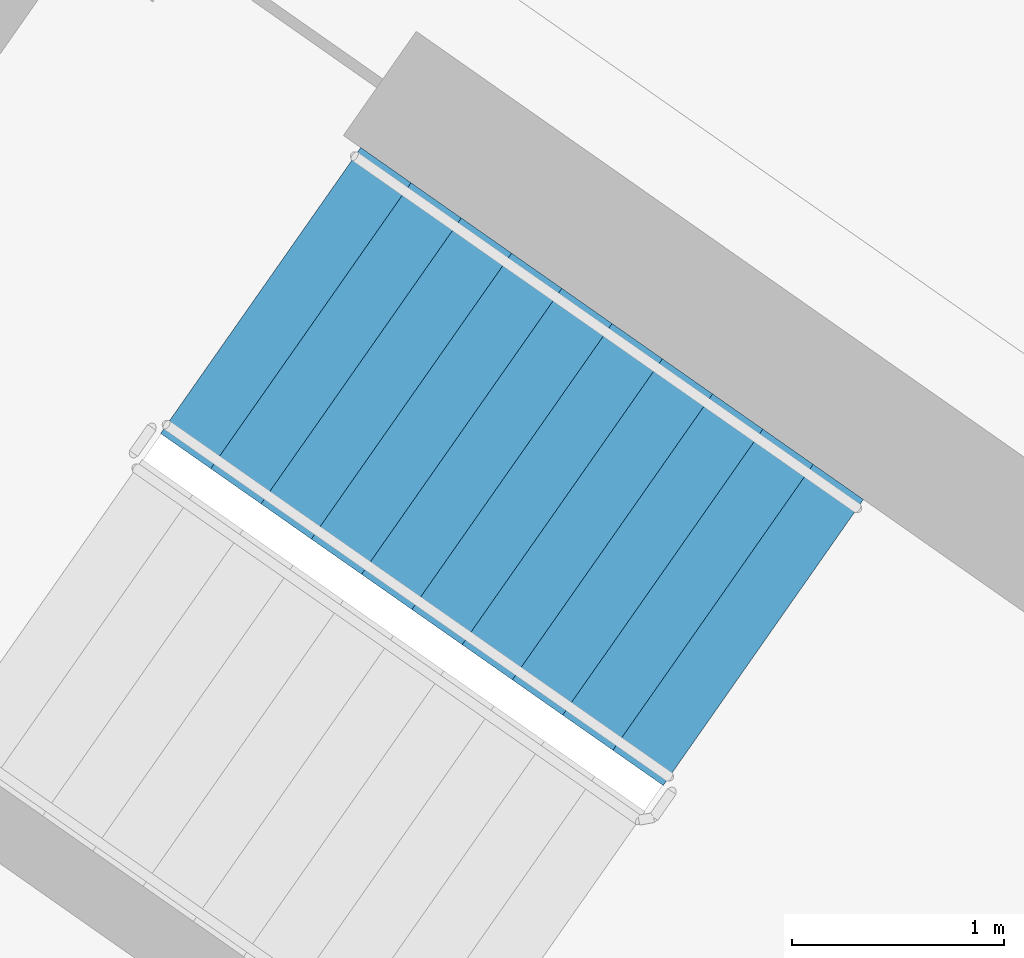
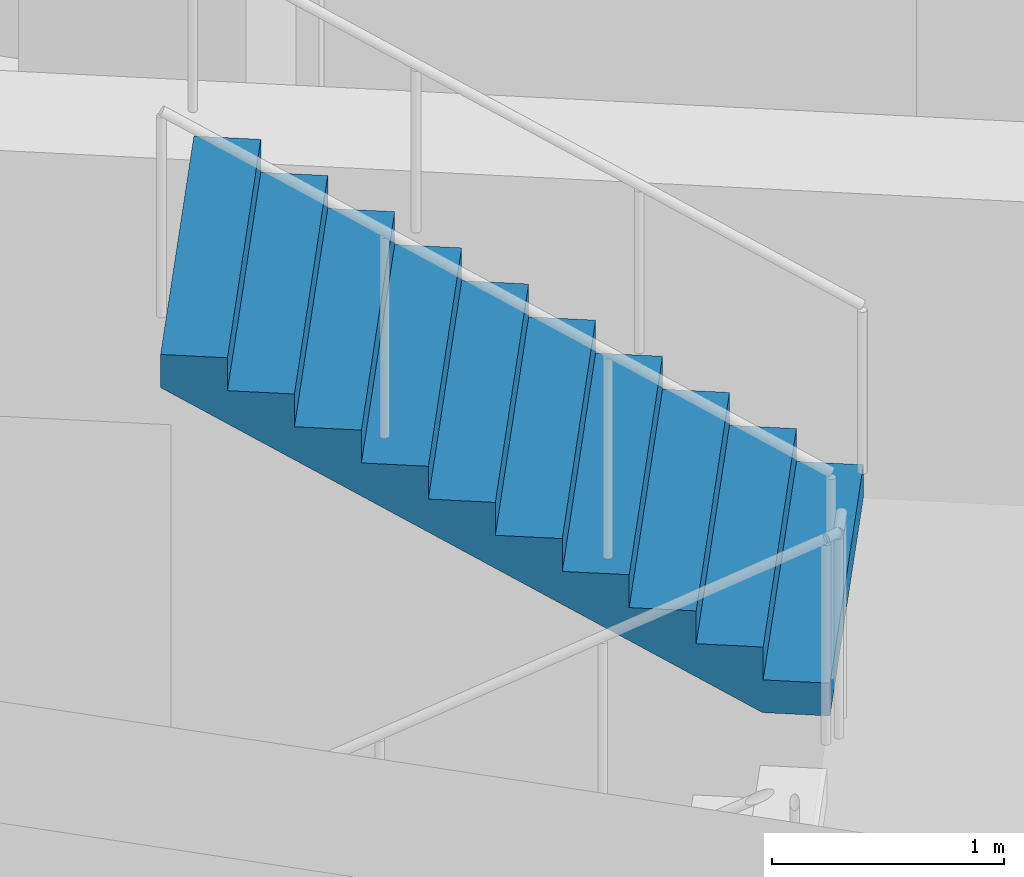
# One storey, part 12 of 28: 1 stair flight, 1 element without a shape of its own.
"""IFC4 building model written with IfcOpenShell, lengths in metres."""

from ifc_helpers import new_model, si_unit, direction, frame, origin, place, context, subcontext, project, spatial, faceted_brep, material, type_object, element, aggregate, save


model = new_model("IFC4")

# Units and contexts
model_context = context("Model", 3, precision=1e-05, world=origin(), true_north=direction((0.0, 1.0)))
body_context = subcontext(model_context, "Body", "Model", "MODEL_VIEW")
ifc_project = project(units=[si_unit("LENGTHUNIT", "METRE"), si_unit("AREAUNIT", "SQUARE_METRE"), si_unit("VOLUMEUNIT", "CUBIC_METRE"), si_unit("PLANEANGLEUNIT", "RADIAN"), si_unit("MASSUNIT", "GRAM", prefix="KILO")], contexts=[model_context])

# Site, building, storey
site_placement = place(None, origin())
site = spatial("IfcSite", under=ifc_project, at=site_placement, CompositionType="ELEMENT")
building_placement = place(site_placement, origin())
building = spatial("IfcBuilding", under=site, at=building_placement, Name="Qamariyya Broadcast Tower", CompositionType="ELEMENT")
storey_placement = place(building_placement, frame((0.0, 0.0, 241.699951171875)))
storey = spatial("IfcBuildingStorey", under=building, at=storey_placement, Name="L58", CompositionType="ELEMENT", Elevation=241.699951171875)

# Stair, stair flight
ifc_material = material(Name="Concrete C50/60", Category="concrete")
stair_type = type_object("IfcStairType", Name="Exit stair 22 risers of 173 mm", PredefinedType="HALF_TURN_STAIR", material=ifc_material)
stair_placement = place(storey_placement, origin())
stair = element("IfcStair", 1, at=stair_placement, inside=storey, type_object=stair_type, Name="L58 Stair W2", PredefinedType="HALF_TURN_STAIR")
stair_flight_type = type_object("IfcStairFlightType", Name="Exit stair flight 11 risers of 173 mm", PredefinedType="STRAIGHT", material=ifc_material)
stair_flight_placement = place(storey_placement, frame((-38.18310546875, -49.3486328125, 1.900146484375), z_axis=(0.0, 0.0, 1.0), x_axis=(-0.819152044289, 0.573576436351, 0.0)))
stair_flight = element("IfcStairFlight", 2, at=stair_flight_placement, type_object=stair_flight_type, Name="ST-W2 flight 2", NumberOfRisers=11, NumberOfTreads=10, PredefinedType="STRAIGHT", RiserHeight=0.172727273, TreadLength=0.29, context=body_context, shape_type="Brep", body=[
    faceted_brep([(0.0, 0.824951171875, 0.0), (0.0, 0.824951171875, 0.172607421875), (0.2900390625, 0.824951171875, 0.172607421875), (0.2900390625, 0.824951171875, 0.345458984375), (0.580078125, 0.824951171875, 0.345458984375), (0.580078125, 0.824951171875, 0.51806640625), (0.8701171875, 0.824951171875, 0.51806640625), (0.8701171875, 0.824951171875, 0.69091796875), (1.159912109375, 0.824951171875, 0.69091796875), (1.159912109375, 0.824951171875, 0.863525390625), (1.449951171875, 0.824951171875, 0.863525390625), (1.449951171875, 0.824951171875, 1.036376953125), (1.739990234375, 0.824951171875, 1.036376953125), (1.739990234375, 0.824951171875, 1.208984375), (2.030029296875, 0.824951171875, 1.208984375), (2.030029296875, 0.824951171875, 1.3818359375), (2.320068359375, 0.824951171875, 1.3818359375), (2.320068359375, 0.824951171875, 1.554443359375), (2.610107421875, 0.824951171875, 1.554443359375), (2.610107421875, 0.824951171875, 1.727294921875), (2.89990234375, 0.824951171875, 1.727294921875), (2.89990234375, 0.824951171875, 1.552734375), (0.29296875, 0.824951171875, 0.0), (0.29296875, -0.824951171875, 0.0), (2.89990234375, -0.824951171875, 1.552734375), (2.89990234375, -0.824951171875, 1.727294921875), (2.610107421875, -0.824951171875, 1.727294921875), (2.610107421875, -0.824951171875, 1.554443359375), (2.320068359375, -0.824951171875, 1.554443359375), (2.320068359375, -0.824951171875, 1.3818359375), (2.030029296875, -0.824951171875, 1.3818359375), (2.030029296875, -0.824951171875, 1.208984375), (1.739990234375, -0.824951171875, 1.208984375), (1.739990234375, -0.824951171875, 1.036376953125), (1.449951171875, -0.824951171875, 1.036376953125), (1.449951171875, -0.824951171875, 0.863525390625), (1.159912109375, -0.824951171875, 0.863525390625), (1.159912109375, -0.824951171875, 0.69091796875), (0.8701171875, -0.824951171875, 0.69091796875), (0.8701171875, -0.824951171875, 0.51806640625), (0.580078125, -0.824951171875, 0.51806640625), (0.580078125, -0.824951171875, 0.345458984375), (0.2900390625, -0.824951171875, 0.345458984375), (0.2900390625, -0.824951171875, 0.172607421875), (0.0, -0.824951171875, 0.172607421875), (0.0, -0.824951171875, 0.0), (0.0, 0.10009765625, 0.0), (0.0, 0.086669921875, 0.0), (0.0, 0.0732421875, 0.0), (0.0, 0.06005859375, 0.0), (0.0, 0.046630859375, 0.0), (0.0, 0.033447265625, 0.0), (0.0, 0.02001953125, 0.0), (0.0, 0.006591796875, 0.0), (0.0, -0.006591796875, 0.0), (0.0, -0.02001953125, 0.0), (0.0, -0.033447265625, 0.0), (0.0, -0.046630859375, 0.0), (0.0, -0.06005859375, 0.0), (0.0, -0.0732421875, 0.0), (0.0, -0.086669921875, 0.0), (0.0, -0.10009765625, 0.0), (0.0, -0.10009765625, 0.172607421875), (0.0, -0.086669921875, 0.172607421875), (0.0, -0.0732421875, 0.172607421875), (0.0, -0.06005859375, 0.172607421875), (0.0, -0.046630859375, 0.172607421875), (0.0, -0.033447265625, 0.172607421875), (0.0, -0.02001953125, 0.172607421875), (0.0, -0.006591796875, 0.172607421875), (0.0, 0.006591796875, 0.172607421875), (0.0, 0.02001953125, 0.172607421875), (0.0, 0.033447265625, 0.172607421875), (0.0, 0.046630859375, 0.172607421875), (0.0, 0.06005859375, 0.172607421875), (0.0, 0.0732421875, 0.172607421875), (0.0, 0.086669921875, 0.172607421875), (0.0, 0.10009765625, 0.172607421875), (0.2900390625, -0.10009765625, 0.172607421875), (0.2900390625, -0.086669921875, 0.172607421875), (0.2900390625, -0.0732421875, 0.172607421875), (0.2900390625, -0.06005859375, 0.172607421875), (0.2900390625, -0.046630859375, 0.172607421875), (0.2900390625, -0.033447265625, 0.172607421875), (0.2900390625, -0.02001953125, 0.172607421875), (0.2900390625, -0.006591796875, 0.172607421875), (0.2900390625, 0.006591796875, 0.172607421875), (0.2900390625, 0.02001953125, 0.172607421875), (0.2900390625, 0.033447265625, 0.172607421875), (0.2900390625, 0.046630859375, 0.172607421875), (0.2900390625, 0.06005859375, 0.172607421875), (0.2900390625, 0.0732421875, 0.172607421875), (0.2900390625, 0.086669921875, 0.172607421875), (0.2900390625, 0.10009765625, 0.172607421875), (0.2900390625, -0.10009765625, 0.345458984375), (0.2900390625, -0.086669921875, 0.345458984375), (0.2900390625, -0.0732421875, 0.345458984375), (0.2900390625, -0.06005859375, 0.345458984375), (0.2900390625, -0.046630859375, 0.345458984375), (0.2900390625, -0.033447265625, 0.345458984375), (0.2900390625, -0.02001953125, 0.345458984375), (0.2900390625, -0.006591796875, 0.345458984375), (0.2900390625, 0.006591796875, 0.345458984375), (0.2900390625, 0.02001953125, 0.345458984375), (0.2900390625, 0.033447265625, 0.345458984375), (0.2900390625, 0.046630859375, 0.345458984375), (0.2900390625, 0.06005859375, 0.345458984375), (0.2900390625, 0.0732421875, 0.345458984375), (0.2900390625, 0.086669921875, 0.345458984375), (0.2900390625, 0.10009765625, 0.345458984375), (0.580078125, -0.10009765625, 0.345458984375), (0.580078125, -0.086669921875, 0.345458984375), (0.580078125, -0.0732421875, 0.345458984375), (0.580078125, -0.06005859375, 0.345458984375), (0.580078125, -0.046630859375, 0.345458984375), (0.580078125, -0.033447265625, 0.345458984375), (0.580078125, -0.02001953125, 0.345458984375), (0.580078125, -0.006591796875, 0.345458984375), (0.580078125, 0.006591796875, 0.345458984375), (0.580078125, 0.02001953125, 0.345458984375), (0.580078125, 0.033447265625, 0.345458984375), (0.580078125, 0.046630859375, 0.345458984375), (0.580078125, 0.06005859375, 0.345458984375), (0.580078125, 0.0732421875, 0.345458984375), (0.580078125, 0.086669921875, 0.345458984375), (0.580078125, 0.10009765625, 0.345458984375), (0.580078125, -0.10009765625, 0.51806640625), (0.580078125, -0.086669921875, 0.51806640625), (0.580078125, -0.0732421875, 0.51806640625), (0.580078125, -0.06005859375, 0.51806640625), (0.580078125, -0.046630859375, 0.51806640625), (0.580078125, -0.033447265625, 0.51806640625), (0.580078125, -0.02001953125, 0.51806640625), (0.580078125, -0.006591796875, 0.51806640625), (0.580078125, 0.006591796875, 0.51806640625), (0.580078125, 0.02001953125, 0.51806640625), (0.580078125, 0.033447265625, 0.51806640625), (0.580078125, 0.046630859375, 0.51806640625), (0.580078125, 0.06005859375, 0.51806640625), (0.580078125, 0.0732421875, 0.51806640625), (0.580078125, 0.086669921875, 0.51806640625), (0.580078125, 0.10009765625, 0.51806640625), (0.8701171875, -0.10009765625, 0.51806640625), (0.8701171875, -0.086669921875, 0.51806640625), (0.8701171875, -0.0732421875, 0.51806640625), (0.8701171875, -0.06005859375, 0.51806640625), (0.8701171875, -0.046630859375, 0.51806640625), (0.8701171875, -0.033447265625, 0.51806640625), (0.8701171875, -0.02001953125, 0.51806640625), (0.8701171875, -0.006591796875, 0.51806640625), (0.8701171875, 0.006591796875, 0.51806640625), (0.8701171875, 0.02001953125, 0.51806640625), (0.8701171875, 0.033447265625, 0.51806640625), (0.8701171875, 0.046630859375, 0.51806640625), (0.8701171875, 0.06005859375, 0.51806640625), (0.8701171875, 0.0732421875, 0.51806640625), (0.8701171875, 0.086669921875, 0.51806640625), (0.8701171875, 0.10009765625, 0.51806640625), (0.8701171875, -0.10009765625, 0.69091796875), (0.8701171875, -0.086669921875, 0.69091796875), (0.8701171875, -0.0732421875, 0.69091796875), (0.8701171875, -0.06005859375, 0.69091796875), (0.8701171875, -0.046630859375, 0.69091796875), (0.8701171875, -0.033447265625, 0.69091796875), (0.8701171875, -0.02001953125, 0.69091796875), (0.8701171875, -0.006591796875, 0.69091796875), (0.8701171875, 0.006591796875, 0.69091796875), (0.8701171875, 0.02001953125, 0.69091796875), (0.8701171875, 0.033447265625, 0.69091796875), (0.8701171875, 0.046630859375, 0.69091796875), (0.8701171875, 0.06005859375, 0.69091796875), (0.8701171875, 0.0732421875, 0.69091796875), (0.8701171875, 0.086669921875, 0.69091796875), (0.8701171875, 0.10009765625, 0.69091796875), (1.159912109375, -0.10009765625, 0.69091796875), (1.159912109375, -0.086669921875, 0.69091796875), (1.159912109375, -0.0732421875, 0.69091796875), (1.159912109375, -0.06005859375, 0.69091796875), (1.159912109375, -0.046630859375, 0.69091796875), (1.159912109375, -0.033447265625, 0.69091796875), (1.159912109375, -0.02001953125, 0.69091796875), (1.159912109375, -0.006591796875, 0.69091796875), (1.159912109375, 0.006591796875, 0.69091796875), (1.159912109375, 0.02001953125, 0.69091796875), (1.159912109375, 0.033447265625, 0.69091796875), (1.159912109375, 0.046630859375, 0.69091796875), (1.159912109375, 0.06005859375, 0.69091796875), (1.159912109375, 0.0732421875, 0.69091796875), (1.159912109375, 0.086669921875, 0.69091796875), (1.159912109375, 0.10009765625, 0.69091796875), (1.159912109375, -0.10009765625, 0.863525390625), (1.159912109375, -0.086669921875, 0.863525390625), (1.159912109375, -0.0732421875, 0.863525390625), (1.159912109375, -0.06005859375, 0.863525390625), (1.159912109375, -0.046630859375, 0.863525390625), (1.159912109375, -0.033447265625, 0.863525390625), (1.159912109375, -0.02001953125, 0.863525390625), (1.159912109375, -0.006591796875, 0.863525390625), (1.159912109375, 0.006591796875, 0.863525390625), (1.159912109375, 0.02001953125, 0.863525390625), (1.159912109375, 0.033447265625, 0.863525390625), (1.159912109375, 0.046630859375, 0.863525390625), (1.159912109375, 0.06005859375, 0.863525390625), (1.159912109375, 0.0732421875, 0.863525390625), (1.159912109375, 0.086669921875, 0.863525390625), (1.159912109375, 0.10009765625, 0.863525390625), (1.449951171875, -0.10009765625, 0.863525390625), (1.449951171875, -0.086669921875, 0.863525390625), (1.449951171875, -0.0732421875, 0.863525390625), (1.449951171875, -0.06005859375, 0.863525390625), (1.449951171875, -0.046630859375, 0.863525390625), (1.449951171875, -0.033447265625, 0.863525390625), (1.449951171875, -0.02001953125, 0.863525390625), (1.449951171875, -0.006591796875, 0.863525390625), (1.449951171875, 0.006591796875, 0.863525390625), (1.449951171875, 0.02001953125, 0.863525390625), (1.449951171875, 0.033447265625, 0.863525390625), (1.449951171875, 0.046630859375, 0.863525390625), (1.449951171875, 0.06005859375, 0.863525390625), (1.449951171875, 0.0732421875, 0.863525390625), (1.449951171875, 0.086669921875, 0.863525390625), (1.449951171875, 0.10009765625, 0.863525390625), (1.449951171875, -0.10009765625, 1.036376953125), (1.449951171875, -0.086669921875, 1.036376953125), (1.449951171875, -0.0732421875, 1.036376953125), (1.449951171875, -0.06005859375, 1.036376953125), (1.449951171875, -0.046630859375, 1.036376953125), (1.449951171875, -0.033447265625, 1.036376953125), (1.449951171875, -0.02001953125, 1.036376953125), (1.449951171875, -0.006591796875, 1.036376953125), (1.449951171875, 0.006591796875, 1.036376953125), (1.449951171875, 0.02001953125, 1.036376953125), (1.449951171875, 0.033447265625, 1.036376953125), (1.449951171875, 0.046630859375, 1.036376953125), (1.449951171875, 0.06005859375, 1.036376953125), (1.449951171875, 0.0732421875, 1.036376953125), (1.449951171875, 0.086669921875, 1.036376953125), (1.449951171875, 0.10009765625, 1.036376953125), (1.739990234375, -0.10009765625, 1.036376953125), (1.739990234375, -0.086669921875, 1.036376953125), (1.739990234375, -0.0732421875, 1.036376953125), (1.739990234375, -0.06005859375, 1.036376953125), (1.739990234375, -0.046630859375, 1.036376953125), (1.739990234375, -0.033447265625, 1.036376953125), (1.739990234375, -0.02001953125, 1.036376953125), (1.739990234375, -0.006591796875, 1.036376953125), (1.739990234375, 0.006591796875, 1.036376953125), (1.739990234375, 0.02001953125, 1.036376953125), (1.739990234375, 0.033447265625, 1.036376953125), (1.739990234375, 0.046630859375, 1.036376953125), (1.739990234375, 0.06005859375, 1.036376953125), (1.739990234375, 0.0732421875, 1.036376953125), (1.739990234375, 0.086669921875, 1.036376953125), (1.739990234375, 0.10009765625, 1.036376953125), (1.739990234375, -0.10009765625, 1.208984375), (1.739990234375, -0.086669921875, 1.208984375), (1.739990234375, -0.0732421875, 1.208984375), (1.739990234375, -0.06005859375, 1.208984375), (1.739990234375, -0.046630859375, 1.208984375), (1.739990234375, -0.033447265625, 1.208984375), (1.739990234375, -0.02001953125, 1.208984375), (1.739990234375, -0.006591796875, 1.208984375), (1.739990234375, 0.006591796875, 1.208984375), (1.739990234375, 0.02001953125, 1.208984375), (1.739990234375, 0.033447265625, 1.208984375), (1.739990234375, 0.046630859375, 1.208984375), (1.739990234375, 0.06005859375, 1.208984375), (1.739990234375, 0.0732421875, 1.208984375), (1.739990234375, 0.086669921875, 1.208984375), (1.739990234375, 0.10009765625, 1.208984375), (2.030029296875, -0.10009765625, 1.208984375), (2.030029296875, -0.086669921875, 1.208984375), (2.030029296875, -0.0732421875, 1.208984375), (2.030029296875, -0.06005859375, 1.208984375), (2.030029296875, -0.046630859375, 1.208984375), (2.030029296875, -0.033447265625, 1.208984375), (2.030029296875, -0.02001953125, 1.208984375), (2.030029296875, -0.006591796875, 1.208984375), (2.030029296875, 0.006591796875, 1.208984375), (2.030029296875, 0.02001953125, 1.208984375), (2.030029296875, 0.033447265625, 1.208984375), (2.030029296875, 0.046630859375, 1.208984375), (2.030029296875, 0.06005859375, 1.208984375), (2.030029296875, 0.0732421875, 1.208984375), (2.030029296875, 0.086669921875, 1.208984375), (2.030029296875, 0.10009765625, 1.208984375), (2.030029296875, -0.10009765625, 1.3818359375), (2.030029296875, -0.086669921875, 1.3818359375), (2.030029296875, -0.0732421875, 1.3818359375), (2.030029296875, -0.06005859375, 1.3818359375), (2.030029296875, -0.046630859375, 1.3818359375), (2.030029296875, -0.033447265625, 1.3818359375), (2.030029296875, -0.02001953125, 1.3818359375), (2.030029296875, -0.006591796875, 1.3818359375), (2.030029296875, 0.006591796875, 1.3818359375), (2.030029296875, 0.02001953125, 1.3818359375), (2.030029296875, 0.033447265625, 1.3818359375), (2.030029296875, 0.046630859375, 1.3818359375), (2.030029296875, 0.06005859375, 1.3818359375), (2.030029296875, 0.0732421875, 1.3818359375), (2.030029296875, 0.086669921875, 1.3818359375), (2.030029296875, 0.10009765625, 1.3818359375), (2.320068359375, -0.10009765625, 1.3818359375), (2.320068359375, -0.086669921875, 1.3818359375), (2.320068359375, -0.0732421875, 1.3818359375), (2.320068359375, -0.06005859375, 1.3818359375), (2.320068359375, -0.046630859375, 1.3818359375), (2.320068359375, -0.033447265625, 1.3818359375), (2.320068359375, -0.02001953125, 1.3818359375), (2.320068359375, -0.006591796875, 1.3818359375), (2.320068359375, 0.006591796875, 1.3818359375), (2.320068359375, 0.02001953125, 1.3818359375), (2.320068359375, 0.033447265625, 1.3818359375), (2.320068359375, 0.046630859375, 1.3818359375), (2.320068359375, 0.06005859375, 1.3818359375), (2.320068359375, 0.0732421875, 1.3818359375), (2.320068359375, 0.086669921875, 1.3818359375), (2.320068359375, 0.10009765625, 1.3818359375), (2.320068359375, -0.10009765625, 1.554443359375), (2.320068359375, -0.086669921875, 1.554443359375), (2.320068359375, -0.0732421875, 1.554443359375), (2.320068359375, -0.06005859375, 1.554443359375), (2.320068359375, -0.046630859375, 1.554443359375), (2.320068359375, -0.033447265625, 1.554443359375), (2.320068359375, -0.02001953125, 1.554443359375), (2.320068359375, -0.006591796875, 1.554443359375), (2.320068359375, 0.006591796875, 1.554443359375), (2.320068359375, 0.02001953125, 1.554443359375), (2.320068359375, 0.033447265625, 1.554443359375), (2.320068359375, 0.046630859375, 1.554443359375), (2.320068359375, 0.06005859375, 1.554443359375), (2.320068359375, 0.0732421875, 1.554443359375), (2.320068359375, 0.086669921875, 1.554443359375), (2.320068359375, 0.10009765625, 1.554443359375), (2.610107421875, -0.10009765625, 1.554443359375), (2.610107421875, -0.086669921875, 1.554443359375), (2.610107421875, -0.0732421875, 1.554443359375), (2.610107421875, -0.06005859375, 1.554443359375), (2.610107421875, -0.046630859375, 1.554443359375), (2.610107421875, -0.033447265625, 1.554443359375), (2.610107421875, -0.02001953125, 1.554443359375), (2.610107421875, -0.006591796875, 1.554443359375), (2.610107421875, 0.006591796875, 1.554443359375), (2.610107421875, 0.02001953125, 1.554443359375), (2.610107421875, 0.033447265625, 1.554443359375), (2.610107421875, 0.046630859375, 1.554443359375), (2.610107421875, 0.06005859375, 1.554443359375), (2.610107421875, 0.0732421875, 1.554443359375), (2.610107421875, 0.086669921875, 1.554443359375), (2.610107421875, 0.10009765625, 1.554443359375), (2.610107421875, -0.10009765625, 1.727294921875), (2.610107421875, -0.086669921875, 1.727294921875), (2.610107421875, -0.0732421875, 1.727294921875), (2.610107421875, -0.06005859375, 1.727294921875), (2.610107421875, -0.046630859375, 1.727294921875), (2.610107421875, -0.033447265625, 1.727294921875), (2.610107421875, -0.02001953125, 1.727294921875), (2.610107421875, -0.006591796875, 1.727294921875), (2.610107421875, 0.006591796875, 1.727294921875), (2.610107421875, 0.02001953125, 1.727294921875), (2.610107421875, 0.033447265625, 1.727294921875), (2.610107421875, 0.046630859375, 1.727294921875), (2.610107421875, 0.06005859375, 1.727294921875), (2.610107421875, 0.0732421875, 1.727294921875), (2.610107421875, 0.086669921875, 1.727294921875), (2.610107421875, 0.10009765625, 1.727294921875), (2.89990234375, -0.10009765625, 1.727294921875), (2.89990234375, -0.086669921875, 1.727294921875), (2.89990234375, -0.0732421875, 1.727294921875), (2.89990234375, -0.06005859375, 1.727294921875), (2.89990234375, -0.046630859375, 1.727294921875), (2.89990234375, -0.033447265625, 1.727294921875), (2.89990234375, -0.02001953125, 1.727294921875), (2.89990234375, -0.006591796875, 1.727294921875), (2.89990234375, 0.006591796875, 1.727294921875), (2.89990234375, 0.02001953125, 1.727294921875), (2.89990234375, 0.033447265625, 1.727294921875), (2.89990234375, 0.046630859375, 1.727294921875), (2.89990234375, 0.06005859375, 1.727294921875), (2.89990234375, 0.0732421875, 1.727294921875), (2.89990234375, 0.086669921875, 1.727294921875), (2.89990234375, 0.10009765625, 1.727294921875), (2.89990234375, -0.10009765625, 1.552734375), (2.89990234375, -0.086669921875, 1.552734375), (2.89990234375, -0.0732421875, 1.552734375), (2.89990234375, -0.06005859375, 1.552734375), (2.89990234375, -0.046630859375, 1.552734375), (2.89990234375, -0.033447265625, 1.552734375), (2.89990234375, -0.02001953125, 1.552734375), (2.89990234375, -0.006591796875, 1.552734375), (2.89990234375, 0.006591796875, 1.552734375), (2.89990234375, 0.02001953125, 1.552734375), (2.89990234375, 0.033447265625, 1.552734375), (2.89990234375, 0.046630859375, 1.552734375), (2.89990234375, 0.06005859375, 1.552734375), (2.89990234375, 0.0732421875, 1.552734375), (2.89990234375, 0.086669921875, 1.552734375), (2.89990234375, 0.10009765625, 1.552734375), (0.29296875, -0.10009765625, 0.0), (0.29296875, -0.086669921875, 0.0), (0.29296875, -0.0732421875, 0.0), (0.29296875, -0.06005859375, 0.0), (0.29296875, -0.046630859375, 0.0), (0.29296875, -0.033447265625, 0.0), (0.29296875, -0.02001953125, 0.0), (0.29296875, -0.006591796875, 0.0), (0.29296875, 0.006591796875, 0.0), (0.29296875, 0.02001953125, 0.0), (0.29296875, 0.033447265625, 0.0), (0.29296875, 0.046630859375, 0.0), (0.29296875, 0.06005859375, 0.0), (0.29296875, 0.0732421875, 0.0), (0.29296875, 0.086669921875, 0.0), (0.29296875, 0.10009765625, 0.0)], [[[0, 1, 2, 3, 4, 5, 6, 7, 8, 9, 10, 11, 12, 13, 14, 15, 16, 17, 18, 19, 20, 21, 22]], [[23, 24, 25, 26, 27, 28, 29, 30, 31, 32, 33, 34, 35, 36, 37, 38, 39, 40, 41, 42, 43, 44, 45]], [[0, 46, 47, 48, 49, 50, 51, 52, 53, 54, 55, 56, 57, 58, 59, 60, 61, 45, 44, 62, 63, 64, 65, 66, 67, 68, 69, 70, 71, 72, 73, 74, 75, 76, 77, 1]], [[1, 77, 76, 75, 74, 73, 72, 71, 70, 69, 68, 67, 66, 65, 64, 63, 62, 44, 43, 78, 79, 80, 81, 82, 83, 84, 85, 86, 87, 88, 89, 90, 91, 92, 93, 2]], [[2, 93, 92, 91, 90, 89, 88, 87, 86, 85, 84, 83, 82, 81, 80, 79, 78, 43, 42, 94, 95, 96, 97, 98, 99, 100, 101, 102, 103, 104, 105, 106, 107, 108, 109, 3]], [[3, 109, 108, 107, 106, 105, 104, 103, 102, 101, 100, 99, 98, 97, 96, 95, 94, 42, 41, 110, 111, 112, 113, 114, 115, 116, 117, 118, 119, 120, 121, 122, 123, 124, 125, 4]], [[4, 125, 124, 123, 122, 121, 120, 119, 118, 117, 116, 115, 114, 113, 112, 111, 110, 41, 40, 126, 127, 128, 129, 130, 131, 132, 133, 134, 135, 136, 137, 138, 139, 140, 141, 5]], [[5, 141, 140, 139, 138, 137, 136, 135, 134, 133, 132, 131, 130, 129, 128, 127, 126, 40, 39, 142, 143, 144, 145, 146, 147, 148, 149, 150, 151, 152, 153, 154, 155, 156, 157, 6]], [[6, 157, 156, 155, 154, 153, 152, 151, 150, 149, 148, 147, 146, 145, 144, 143, 142, 39, 38, 158, 159, 160, 161, 162, 163, 164, 165, 166, 167, 168, 169, 170, 171, 172, 173, 7]], [[7, 173, 172, 171, 170, 169, 168, 167, 166, 165, 164, 163, 162, 161, 160, 159, 158, 38, 37, 174, 175, 176, 177, 178, 179, 180, 181, 182, 183, 184, 185, 186, 187, 188, 189, 8]], [[8, 189, 188, 187, 186, 185, 184, 183, 182, 181, 180, 179, 178, 177, 176, 175, 174, 37, 36, 190, 191, 192, 193, 194, 195, 196, 197, 198, 199, 200, 201, 202, 203, 204, 205, 9]], [[9, 205, 204, 203, 202, 201, 200, 199, 198, 197, 196, 195, 194, 193, 192, 191, 190, 36, 35, 206, 207, 208, 209, 210, 211, 212, 213, 214, 215, 216, 217, 218, 219, 220, 221, 10]], [[10, 221, 220, 219, 218, 217, 216, 215, 214, 213, 212, 211, 210, 209, 208, 207, 206, 35, 34, 222, 223, 224, 225, 226, 227, 228, 229, 230, 231, 232, 233, 234, 235, 236, 237, 11]], [[11, 237, 236, 235, 234, 233, 232, 231, 230, 229, 228, 227, 226, 225, 224, 223, 222, 34, 33, 238, 239, 240, 241, 242, 243, 244, 245, 246, 247, 248, 249, 250, 251, 252, 253, 12]], [[12, 253, 252, 251, 250, 249, 248, 247, 246, 245, 244, 243, 242, 241, 240, 239, 238, 33, 32, 254, 255, 256, 257, 258, 259, 260, 261, 262, 263, 264, 265, 266, 267, 268, 269, 13]], [[13, 269, 268, 267, 266, 265, 264, 263, 262, 261, 260, 259, 258, 257, 256, 255, 254, 32, 31, 270, 271, 272, 273, 274, 275, 276, 277, 278, 279, 280, 281, 282, 283, 284, 285, 14]], [[14, 285, 284, 283, 282, 281, 280, 279, 278, 277, 276, 275, 274, 273, 272, 271, 270, 31, 30, 286, 287, 288, 289, 290, 291, 292, 293, 294, 295, 296, 297, 298, 299, 300, 301, 15]], [[15, 301, 300, 299, 298, 297, 296, 295, 294, 293, 292, 291, 290, 289, 288, 287, 286, 30, 29, 302, 303, 304, 305, 306, 307, 308, 309, 310, 311, 312, 313, 314, 315, 316, 317, 16]], [[16, 317, 316, 315, 314, 313, 312, 311, 310, 309, 308, 307, 306, 305, 304, 303, 302, 29, 28, 318, 319, 320, 321, 322, 323, 324, 325, 326, 327, 328, 329, 330, 331, 332, 333, 17]], [[17, 333, 332, 331, 330, 329, 328, 327, 326, 325, 324, 323, 322, 321, 320, 319, 318, 28, 27, 334, 335, 336, 337, 338, 339, 340, 341, 342, 343, 344, 345, 346, 347, 348, 349, 18]], [[18, 349, 348, 347, 346, 345, 344, 343, 342, 341, 340, 339, 338, 337, 336, 335, 334, 27, 26, 350, 351, 352, 353, 354, 355, 356, 357, 358, 359, 360, 361, 362, 363, 364, 365, 19]], [[19, 365, 364, 363, 362, 361, 360, 359, 358, 357, 356, 355, 354, 353, 352, 351, 350, 26, 25, 366, 367, 368, 369, 370, 371, 372, 373, 374, 375, 376, 377, 378, 379, 380, 381, 20]], [[20, 381, 380, 379, 378, 377, 376, 375, 374, 373, 372, 371, 370, 369, 368, 367, 366, 25, 24, 382, 383, 384, 385, 386, 387, 388, 389, 390, 391, 392, 393, 394, 395, 396, 397, 21]], [[21, 397, 396, 395, 394, 393, 392, 391, 390, 389, 388, 387, 386, 385, 384, 383, 382, 24, 23, 398, 399, 400, 401, 402, 403, 404, 405, 406, 407, 408, 409, 410, 411, 412, 413, 22]], [[22, 413, 412, 411, 410, 409, 408, 407, 406, 405, 404, 403, 402, 401, 400, 399, 398, 23, 45, 61, 60, 59, 58, 57, 56, 55, 54, 53, 52, 51, 50, 49, 48, 47, 46, 0]]]),
])
aggregate(stair, [stair_flight])

save(model, "model.ifc")
